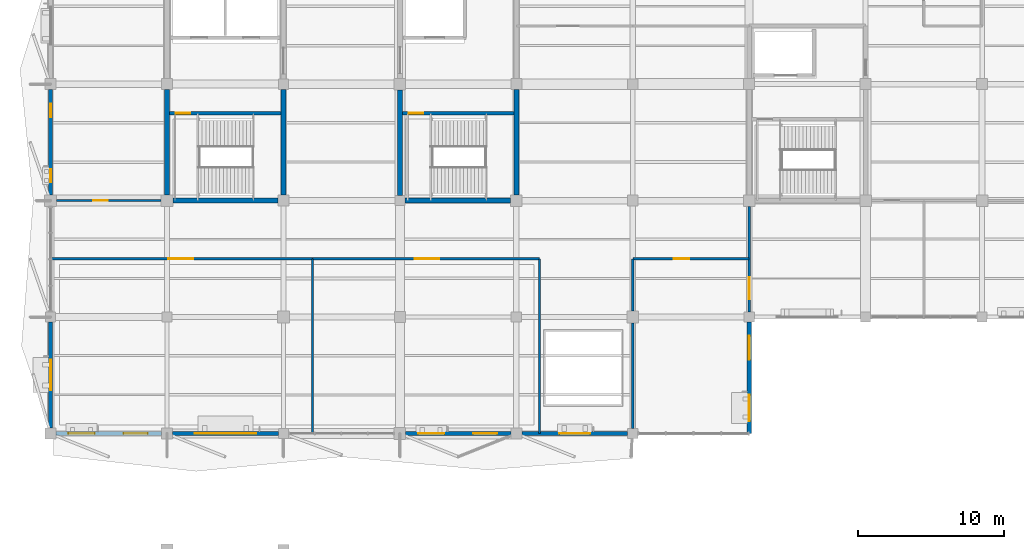
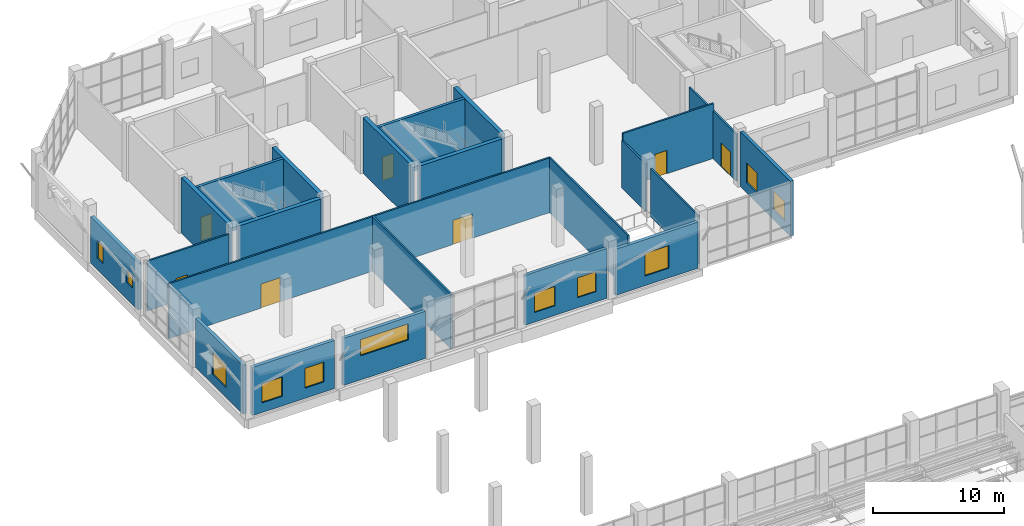
# One storey, part 106 of 122: 24 walls, 11 windows, 7 doors, 18 openings.
"""IFC4 building model written with IfcOpenShell, lengths in metres."""

from ifc_helpers import new_model, si_unit, direction, frame, frame_2d, origin, place, context, subcontext, project, spatial, rectangle, extrude, material, layer, layer_set, type_object, element, fill, save


model = new_model("IFC4")

# Units and contexts
model_context = context("Model", 3, precision=1e-05, world=origin(), true_north=direction((0.0, 1.0)))
body_context = subcontext(model_context, "Body", "Model", "MODEL_VIEW")
ifc_project = project(units=[si_unit("LENGTHUNIT", "METRE"), si_unit("AREAUNIT", "SQUARE_METRE"), si_unit("VOLUMEUNIT", "CUBIC_METRE"), si_unit("PLANEANGLEUNIT", "RADIAN"), si_unit("MASSUNIT", "GRAM", prefix="KILO")], contexts=[model_context])

# Site, building, storey
site_placement = place(None, origin())
site = spatial("IfcSite", under=ifc_project, at=site_placement, CompositionType="ELEMENT")
building_placement = place(site_placement, origin())
building = spatial("IfcBuilding", under=site, at=building_placement, Name="Tenunan Teduh Sports Hall", CompositionType="ELEMENT")
storey_placement = place(building_placement, frame((0.0, 0.0, 5.39990234375)))
storey = spatial("IfcBuildingStorey", under=building, at=storey_placement, Name="L01", CompositionType="ELEMENT", Elevation=5.39990234375)

# Wall, opening, door
ifc_material_1 = material(Name="Concrete C40/50", Category="concrete")
ifc_layer_1 = layer(ifc_material_1, 0.25)
ifc_layer_set_1 = layer_set([ifc_layer_1], Name="Concrete C40/50")
wall_type_1 = type_object("IfcWallType", Name="WL-COR-250", PredefinedType="SOLIDWALL", material=ifc_layer_set_1)
wall_1_placement = place(storey_placement, frame((14.175048828125, 100.0, 0.0), z_axis=(0.0, 0.0, 1.0), x_axis=(1.0, 0.0, 0.0)))
wall_1 = element("IfcWall", 1, at=wall_1_placement, inside=storey, type_object=wall_type_1, Name="WL-COR-L01-025", PredefinedType="SOLIDWALL", context=body_context, shape_type="SweptSolid", body=[
    extrude(rectangle(XDim=7.64990234375, YDim=0.25, at=frame_2d((3.824951171875, 0.0))), origin(), (0.0, 0.0, 1.0), 5.18017578125),
])
opening_1_placement = place(wall_1_placement, frame((0.425048828125, 0.0, 0.0)))
opening_1 = element("IfcOpeningElement", 2, at=opening_1_placement, cuts=wall_1, Name="Opening FD-01", PredefinedType="OPENING", context=body_context, shape_type="SweptSolid", body=[
    extrude(rectangle(XDim=1.0, YDim=2.199951171875, at=frame_2d((0.5, 1.10009765625))), frame((0.0, 0.135009765625, 0.0), z_axis=(0.0, -1.0, 0.0), x_axis=(1.0, 0.0, 0.0)), (0.0, 0.0, 1.0), 0.27001953125),
])
ifc_material_2 = material(Name="Fire-rated steel leaf and frame", Category="steel")
door_type_1 = type_object("IfcDoorType", Name="FDR-01", OperationType="SINGLE_SWING_LEFT", PredefinedType="DOOR", material=ifc_material_2)
door_1_placement = place(opening_1_placement, frame((1.0, 0.0, 0.0), z_axis=(0.0, 0.0, 1.0), x_axis=(-1.0, 0.0, 0.0)))
door_1 = element("IfcDoor", 3, at=door_1_placement, inside=storey, type_object=door_type_1, Name="DR-INT-L01-010", OperationType="SINGLE_SWING_LEFT", OverallHeight=2.199951171875, OverallWidth=1.0, PredefinedType="DOOR", context=body_context, shape_type="SweptSolid", body=[
    extrude(rectangle(XDim=1.0, YDim=2.199951171875, at=frame_2d((0.5, 1.10009765625))), frame((0.0, 0.02490234375, 0.0), z_axis=(0.0, -1.0, 0.0), x_axis=(1.0, 0.0, 0.0)), (0.0, 0.0, 1.0), 0.050048828125),
])
fill(opening_1, door_1)

wall_2_placement = place(storey_placement, frame((30.175048828125, 100.0, 0.0), z_axis=(0.0, 0.0, 1.0), x_axis=(1.0, 0.0, 0.0)))
wall_2 = element("IfcWall", 4, at=wall_2_placement, inside=storey, type_object=wall_type_1, Name="WL-COR-L01-079", PredefinedType="SOLIDWALL", context=body_context, shape_type="SweptSolid", body=[
    extrude(rectangle(XDim=7.64990234375, YDim=0.25, at=frame_2d((3.824951171875, 0.0))), origin(), (0.0, 0.0, 1.0), 5.18017578125),
])
opening_2_placement = place(wall_2_placement, frame((0.425048828125, 0.0, 0.0)))
opening_2 = element("IfcOpeningElement", 5, at=opening_2_placement, cuts=wall_2, Name="Opening FD-01", PredefinedType="OPENING", context=body_context, shape_type="SweptSolid", body=[
    extrude(rectangle(XDim=1.0, YDim=2.199951171875, at=frame_2d((0.5, 1.10009765625))), frame((0.0, 0.135009765625, 0.0), z_axis=(0.0, -1.0, 0.0), x_axis=(1.0, 0.0, 0.0)), (0.0, 0.0, 1.0), 0.27001953125),
])
door_2_placement = place(opening_2_placement, frame((1.0, 0.0, 0.0), z_axis=(0.0, 0.0, 1.0), x_axis=(-1.0, 0.0, 0.0)))
door_2 = element("IfcDoor", 6, at=door_2_placement, inside=storey, type_object=door_type_1, Name="DR-INT-L01-032", OperationType="SINGLE_SWING_LEFT", OverallHeight=2.199951171875, OverallWidth=1.0, PredefinedType="DOOR", context=body_context, shape_type="SweptSolid", body=[
    extrude(rectangle(XDim=1.0, YDim=2.199951171875, at=frame_2d((0.5, 1.10009765625))), frame((0.0, 0.02490234375, 0.0), z_axis=(0.0, -1.0, 0.0), x_axis=(1.0, 0.0, 0.0)), (0.0, 0.0, 1.0), 0.050048828125),
])
fill(opening_2, door_2)

# Wall, openings, windows
ifc_material_3 = material(Name="Precast concrete C40/50", Category="concrete")
ifc_layer_2 = layer(ifc_material_3, 0.25)
ifc_layer_set_2 = layer_set([ifc_layer_2], Name="Precast concrete C40/50")
wall_type_2 = type_object("IfcWallType", Name="WL-EXT-250", PredefinedType="SOLIDWALL", material=ifc_layer_set_2)
wall_3_placement = place(storey_placement, frame((30.39990234375, 78.0, 0.0), z_axis=(0.0, 0.0, 1.0), x_axis=(1.0, 0.0, 0.0)))
wall_3 = element("IfcWall", 7, at=wall_3_placement, inside=storey, type_object=wall_type_2, Name="WL-EXT-L01-164", PredefinedType="SOLIDWALL", context=body_context, shape_type="SweptSolid", body=[
    extrude(rectangle(XDim=7.22509765625, YDim=0.25, at=frame_2d((3.612548828125, 0.0))), origin(), (0.0, 0.0, 1.0), 4.64013671875),
])
opening_3_placement = place(wall_3_placement, frame((0.85009765625, 0.0, 0.89990234375)))
opening_3 = element("IfcOpeningElement", 8, at=opening_3_placement, cuts=wall_3, Name="Opening W-02", PredefinedType="OPENING", context=body_context, shape_type="SweptSolid", body=[
    extrude(rectangle(XDim=1.800048828125, YDim=1.800048828125, at=frame_2d((0.89990234375, 0.89990234375))), frame((0.0, 0.135009765625, 0.0), z_axis=(0.0, -1.0, 0.0), x_axis=(1.0, 0.0, 0.0)), (0.0, 0.0, 1.0), 0.27001953125),
])
opening_4_placement = place(wall_3_placement, frame((4.6298828125, 0.0, 0.949951171875)))
opening_4 = element("IfcOpeningElement", 9, at=opening_4_placement, cuts=wall_3, Name="Opening W-19", PredefinedType="OPENING", context=body_context, shape_type="SweptSolid", body=[
    extrude(rectangle(XDim=1.64990234375, YDim=1.85009765625, at=frame_2d((0.824951171875, 0.925048828125))), frame((0.0, 0.135009765625, 0.0), z_axis=(0.0, -1.0, 0.0), x_axis=(1.0, 0.0, 0.0)), (0.0, 0.0, 1.0), 0.27001953125),
])
ifc_material_4 = material(Name="Thermally broken aluminium and Low-E glazing", Category="aluminium")
window_type_1 = type_object("IfcWindowType", Name="WIN-02", PartitioningType="DOUBLE_PANEL_VERTICAL", PredefinedType="WINDOW", material=ifc_material_4)
window_1_placement = place(opening_3_placement, origin())
window_1 = element("IfcWindow", 10, at=window_1_placement, inside=storey, type_object=window_type_1, Name="WIN-L01-046", OverallHeight=1.800048828125, OverallWidth=1.800048828125, PartitioningType="SINGLE_PANEL", PredefinedType="WINDOW", context=body_context, shape_type="SweptSolid", body=[
    extrude(rectangle(XDim=1.800048828125, YDim=1.800048828125, at=frame_2d((0.89990234375, 0.89990234375))), frame((0.0, 0.030029296875, 0.0), z_axis=(0.0, -1.0, 0.0), x_axis=(1.0, 0.0, 0.0)), (0.0, 0.0, 1.0), 0.06005859375),
])
fill(opening_3, window_1)
ifc_material_5 = material(Name="Thermally broken aluminium and Low-E glazing", Category="aluminium")
window_type_2 = type_object("IfcWindowType", Name="WIN-19", PartitioningType="DOUBLE_PANEL_VERTICAL", PredefinedType="WINDOW", material=ifc_material_5)
window_2_placement = place(opening_4_placement, origin())
window_2 = element("IfcWindow", 11, at=window_2_placement, inside=storey, type_object=window_type_2, Name="WIN-L01-047", OverallHeight=1.85009765625, OverallWidth=1.64990234375, PartitioningType="SINGLE_PANEL", PredefinedType="WINDOW", context=body_context, shape_type="SweptSolid", body=[
    extrude(rectangle(XDim=1.64990234375, YDim=1.85009765625, at=frame_2d((0.824951171875, 0.925048828125))), frame((0.0, 0.030029296875, 0.0), z_axis=(0.0, -1.0, 0.0), x_axis=(1.0, 0.0, 0.0)), (0.0, 0.0, 1.0), 0.06005859375),
])
fill(opening_4, window_2)

# Wall, opening, window
ifc_material_6 = material(Name="Concrete C40/50", Category="concrete")
ifc_layer_3 = layer(ifc_material_6, 0.280029296875)
ifc_layer_set_3 = layer_set([ifc_layer_3], Name="Concrete C40/50")
wall_type_3 = type_object("IfcWallType", Name="WL-EXT-280", PredefinedType="SOLIDWALL", material=ifc_layer_set_3)
wall_4_placement = place(storey_placement, frame((14.375, 78.0, 0.0), z_axis=(0.0, 0.0, 1.0), x_axis=(1.0, 0.0, 0.0)))
wall_4 = element("IfcWall", 12, at=wall_4_placement, inside=storey, type_object=wall_type_3, Name="WL-EXT-L01-163", PredefinedType="SOLIDWALL", context=body_context, shape_type="SweptSolid", body=[
    extrude(rectangle(XDim=7.27490234375, YDim=0.280029296875, at=frame_2d((3.637451171875, 0.0))), origin(), (0.0, 0.0, 1.0), 4.39013671875),
])
opening_5_placement = place(wall_4_placement, frame((1.5400390625, 0.0, 2.25)))
opening_5 = element("IfcOpeningElement", 13, at=opening_5_placement, cuts=wall_4, Name="Opening W-06", PredefinedType="OPENING", context=body_context, shape_type="SweptSolid", body=[
    extrude(rectangle(XDim=4.199951171875, YDim=1.5, at=frame_2d((2.10009765625, 0.75))), frame((0.0, 0.14990234375, 0.0), z_axis=(0.0, -1.0, 0.0), x_axis=(1.0, 0.0, 0.0)), (0.0, 0.0, 1.0), 0.300048828125),
])
ifc_material_7 = material(Name="Thermally broken aluminium and Low-E glazing", Category="aluminium")
window_type_3 = type_object("IfcWindowType", Name="WIN-06", PartitioningType="TRIPLE_PANEL_HORIZONTAL", PredefinedType="WINDOW", material=ifc_material_7)
window_3_placement = place(opening_5_placement, origin())
window_3 = element("IfcWindow", 14, at=window_3_placement, inside=storey, type_object=window_type_3, Name="WIN-L01-045", OverallHeight=1.5, OverallWidth=4.199951171875, PartitioningType="SINGLE_PANEL", PredefinedType="WINDOW", context=body_context, shape_type="SweptSolid", body=[
    extrude(rectangle(XDim=4.199951171875, YDim=1.5, at=frame_2d((2.10009765625, 0.75))), frame((0.0, 0.030029296875, 0.0), z_axis=(0.0, -1.0, 0.0), x_axis=(1.0, 0.0, 0.0)), (0.0, 0.0, 1.0), 0.06005859375),
])
fill(opening_5, window_3)

wall_5_placement = place(storey_placement, frame((38.375, 78.0, 0.0), z_axis=(0.0, 0.0, 1.0), x_axis=(1.0, 0.0, 0.0)))
wall_5 = element("IfcWall", 15, at=wall_5_placement, inside=storey, type_object=wall_type_3, Name="WL-EXT-L01-165", PredefinedType="SOLIDWALL", context=body_context, shape_type="SweptSolid", body=[
    extrude(rectangle(XDim=7.27490234375, YDim=0.280029296875, at=frame_2d((3.637451171875, 0.0))), origin(), (0.0, 0.0, 1.0), 4.2900390625),
])
opening_6_placement = place(wall_5_placement, frame((2.590087890625, 0.0, 0.89990234375)))
opening_6 = element("IfcOpeningElement", 16, at=opening_6_placement, cuts=wall_5, Name="Opening W-10", PredefinedType="OPENING", context=body_context, shape_type="SweptSolid", body=[
    extrude(rectangle(XDim=2.10009765625, YDim=2.10009765625, at=frame_2d((1.050048828125, 1.050048828125))), frame((0.0, 0.14990234375, 0.0), z_axis=(0.0, -1.0, 0.0), x_axis=(1.0, 0.0, 0.0)), (0.0, 0.0, 1.0), 0.300048828125),
])
ifc_material_8 = material(Name="Thermally broken aluminium and Low-E glazing", Category="aluminium")
window_type_4 = type_object("IfcWindowType", Name="WIN-10", PartitioningType="DOUBLE_PANEL_VERTICAL", PredefinedType="WINDOW", material=ifc_material_8)
window_4_placement = place(opening_6_placement, origin())
window_4 = element("IfcWindow", 17, at=window_4_placement, inside=storey, type_object=window_type_4, Name="WIN-L01-048", OverallHeight=2.10009765625, OverallWidth=2.10009765625, PartitioningType="SINGLE_PANEL", PredefinedType="WINDOW", context=body_context, shape_type="SweptSolid", body=[
    extrude(rectangle(XDim=2.10009765625, YDim=2.10009765625, at=frame_2d((1.050048828125, 1.050048828125))), frame((0.0, 0.030029296875, 0.0), z_axis=(0.0, -1.0, 0.0), x_axis=(1.0, 0.0, 0.0)), (0.0, 0.0, 1.0), 0.06005859375),
])
fill(opening_6, window_4)

wall_6_placement = place(storey_placement, frame((6.0, 78.375, 0.0), z_axis=(0.0, 0.0, 1.0), x_axis=(0.0, 1.0, 0.0)))
wall_6 = element("IfcWall", 18, at=wall_6_placement, inside=storey, type_object=wall_type_3, Name="WL-EXT-L01-175", PredefinedType="SOLIDWALL", context=body_context, shape_type="SweptSolid", body=[
    extrude(rectangle(XDim=7.27490234375, YDim=0.280029296875, at=frame_2d((3.637451171875, 0.0))), origin(), (0.0, 0.0, 1.0), 4.5400390625),
])
opening_7_placement = place(wall_6_placement, frame((2.590087890625, 0.0, 0.89990234375)))
opening_7 = element("IfcOpeningElement", 19, at=opening_7_placement, cuts=wall_6, Name="Opening W-10", PredefinedType="OPENING", context=body_context, shape_type="SweptSolid", body=[
    extrude(rectangle(XDim=2.10009765625, YDim=2.10009765625, at=frame_2d((1.050048828125, 1.050048828125))), frame((0.0, 0.14990234375, 0.0), z_axis=(0.0, -1.0, 0.0), x_axis=(1.0, 0.0, 0.0)), (0.0, 0.0, 1.0), 0.300048828125),
])
window_5_placement = place(opening_7_placement, origin())
window_5 = element("IfcWindow", 20, at=window_5_placement, inside=storey, type_object=window_type_4, Name="WIN-L01-063", OverallHeight=2.10009765625, OverallWidth=2.10009765625, PartitioningType="SINGLE_PANEL", PredefinedType="WINDOW", context=body_context, shape_type="SweptSolid", body=[
    extrude(rectangle(XDim=2.10009765625, YDim=2.10009765625, at=frame_2d((1.050048828125, 1.050048828125))), frame((0.0, 0.030029296875, 0.0), z_axis=(0.0, -1.0, 0.0), x_axis=(1.0, 0.0, 0.0)), (0.0, 0.0, 1.0), 0.06005859375),
])
fill(opening_7, window_5)

# Wall, openings, windows
ifc_material_9 = material(Name="Concrete C40/50", Category="concrete")
ifc_layer_4 = layer(ifc_material_9, 0.2900390625)
ifc_layer_set_4 = layer_set([ifc_layer_4], Name="Concrete C40/50")
wall_type_4 = type_object("IfcWallType", Name="WL-EXT-290", PredefinedType="SOLIDWALL", material=ifc_layer_set_4)
wall_7_placement = place(storey_placement, frame((6.375, 78.0, 0.0), z_axis=(0.0, 0.0, 1.0), x_axis=(1.0, 0.0, 0.0)))
wall_7 = element("IfcWall", 21, at=wall_7_placement, inside=storey, type_object=wall_type_4, Name="WL-EXT-L01-162", PredefinedType="SOLIDWALL", context=body_context, shape_type="SweptSolid", body=[
    extrude(rectangle(XDim=7.25, YDim=0.2900390625, at=frame_2d((3.625, 0.0))), origin(), (0.0, 0.0, 1.0), 4.489990234375),
])
opening_8_placement = place(wall_7_placement, frame((0.85009765625, 0.0, 0.89990234375)))
opening_8 = element("IfcOpeningElement", 22, at=opening_8_placement, cuts=wall_7, Name="Opening W-02", PredefinedType="OPENING", context=body_context, shape_type="SweptSolid", body=[
    extrude(rectangle(XDim=1.800048828125, YDim=1.800048828125, at=frame_2d((0.89990234375, 0.89990234375))), frame((0.0, 0.155029296875, 0.0), z_axis=(0.0, -1.0, 0.0), x_axis=(1.0, 0.0, 0.0)), (0.0, 0.0, 1.0), 0.31005859375),
])
opening_9_placement = place(wall_7_placement, frame((4.64990234375, 0.0, 0.949951171875)))
opening_9 = element("IfcOpeningElement", 23, at=opening_9_placement, cuts=wall_7, Name="Opening W-19", PredefinedType="OPENING", context=body_context, shape_type="SweptSolid", body=[
    extrude(rectangle(XDim=1.64990234375, YDim=1.85009765625, at=frame_2d((0.824951171875, 0.925048828125))), frame((0.0, 0.155029296875, 0.0), z_axis=(0.0, -1.0, 0.0), x_axis=(1.0, 0.0, 0.0)), (0.0, 0.0, 1.0), 0.31005859375),
])
window_6_placement = place(opening_8_placement, origin())
window_6 = element("IfcWindow", 24, at=window_6_placement, inside=storey, type_object=window_type_1, Name="WIN-L01-043", OverallHeight=1.800048828125, OverallWidth=1.800048828125, PartitioningType="SINGLE_PANEL", PredefinedType="WINDOW", context=body_context, shape_type="SweptSolid", body=[
    extrude(rectangle(XDim=1.800048828125, YDim=1.800048828125, at=frame_2d((0.89990234375, 0.89990234375))), frame((0.0, 0.030029296875, 0.0), z_axis=(0.0, -1.0, 0.0), x_axis=(1.0, 0.0, 0.0)), (0.0, 0.0, 1.0), 0.06005859375),
])
fill(opening_8, window_6)
window_7_placement = place(opening_9_placement, origin())
window_7 = element("IfcWindow", 25, at=window_7_placement, inside=storey, type_object=window_type_2, Name="WIN-L01-044", OverallHeight=1.85009765625, OverallWidth=1.64990234375, PartitioningType="SINGLE_PANEL", PredefinedType="WINDOW", context=body_context, shape_type="SweptSolid", body=[
    extrude(rectangle(XDim=1.64990234375, YDim=1.85009765625, at=frame_2d((0.824951171875, 0.925048828125))), frame((0.0, 0.030029296875, 0.0), z_axis=(0.0, -1.0, 0.0), x_axis=(1.0, 0.0, 0.0)), (0.0, 0.0, 1.0), 0.06005859375),
])
fill(opening_9, window_7)

wall_8_placement = place(storey_placement, frame((54.0, 78.0, 0.0), z_axis=(0.0, 0.0, 1.0), x_axis=(0.0, 1.0, 0.0)))
wall_8 = element("IfcWall", 26, at=wall_8_placement, inside=storey, type_object=wall_type_4, Name="WL-EXT-L01-166", PredefinedType="SOLIDWALL", context=body_context, shape_type="SweptSolid", body=[
    extrude(rectangle(XDim=7.64990234375, YDim=0.2900390625, at=frame_2d((3.824951171875, 0.0))), origin(), (0.0, 0.0, 1.0), 5.1201171875),
])
opening_10_placement = place(wall_8_placement, frame((0.85009765625, 0.0, 0.89990234375)))
opening_10 = element("IfcOpeningElement", 27, at=opening_10_placement, cuts=wall_8, Name="Opening W-02", PredefinedType="OPENING", context=body_context, shape_type="SweptSolid", body=[
    extrude(rectangle(XDim=1.800048828125, YDim=1.800048828125, at=frame_2d((0.89990234375, 0.89990234375))), frame((0.0, 0.155029296875, 0.0), z_axis=(0.0, -1.0, 0.0), x_axis=(1.0, 0.0, 0.0)), (0.0, 0.0, 1.0), 0.31005859375),
])
opening_11_placement = place(wall_8_placement, frame((5.050048828125, 0.0, 0.949951171875)))
opening_11 = element("IfcOpeningElement", 28, at=opening_11_placement, cuts=wall_8, Name="Opening W-19", PredefinedType="OPENING", context=body_context, shape_type="SweptSolid", body=[
    extrude(rectangle(XDim=1.64990234375, YDim=1.85009765625, at=frame_2d((0.824951171875, 0.925048828125))), frame((0.0, 0.155029296875, 0.0), z_axis=(0.0, -1.0, 0.0), x_axis=(1.0, 0.0, 0.0)), (0.0, 0.0, 1.0), 0.31005859375),
])
window_8_placement = place(opening_10_placement, origin())
window_8 = element("IfcWindow", 29, at=window_8_placement, inside=storey, type_object=window_type_1, Name="WIN-L01-049", OverallHeight=1.800048828125, OverallWidth=1.800048828125, PartitioningType="SINGLE_PANEL", PredefinedType="WINDOW", context=body_context, shape_type="SweptSolid", body=[
    extrude(rectangle(XDim=1.800048828125, YDim=1.800048828125, at=frame_2d((0.89990234375, 0.89990234375))), frame((0.0, 0.030029296875, 0.0), z_axis=(0.0, -1.0, 0.0), x_axis=(1.0, 0.0, 0.0)), (0.0, 0.0, 1.0), 0.06005859375),
])
fill(opening_10, window_8)
window_9_placement = place(opening_11_placement, origin())
window_9 = element("IfcWindow", 30, at=window_9_placement, inside=storey, type_object=window_type_2, Name="WIN-L01-050", OverallHeight=1.85009765625, OverallWidth=1.64990234375, PartitioningType="SINGLE_PANEL", PredefinedType="WINDOW", context=body_context, shape_type="SweptSolid", body=[
    extrude(rectangle(XDim=1.64990234375, YDim=1.85009765625, at=frame_2d((0.824951171875, 0.925048828125))), frame((0.0, 0.030029296875, 0.0), z_axis=(0.0, -1.0, 0.0), x_axis=(1.0, 0.0, 0.0)), (0.0, 0.0, 1.0), 0.06005859375),
])
fill(opening_11, window_9)

wall_9_placement = place(storey_placement, frame((6.0, 94.39990234375, 0.0), z_axis=(0.0, 0.0, 1.0), x_axis=(0.0, 1.0, 0.0)))
wall_9 = element("IfcWall", 31, at=wall_9_placement, inside=storey, type_object=wall_type_4, Name="WL-EXT-L01-176", PredefinedType="SOLIDWALL", context=body_context, shape_type="SweptSolid", body=[
    extrude(rectangle(XDim=7.22509765625, YDim=0.2900390625, at=frame_2d((3.612548828125, 0.0))), origin(), (0.0, 0.0, 1.0), 4.340087890625),
])
opening_12_placement = place(wall_9_placement, frame((0.85009765625, 0.0, 1.5)))
opening_12 = element("IfcOpeningElement", 32, at=opening_12_placement, cuts=wall_9, Name="Opening W-08", PredefinedType="OPENING", context=body_context, shape_type="SweptSolid", body=[
    extrude(rectangle(XDim=0.89990234375, YDim=1.199951171875, at=frame_2d((0.449951171875, 0.60009765625))), frame((0.0, 0.155029296875, 0.0), z_axis=(0.0, -1.0, 0.0), x_axis=(1.0, 0.0, 0.0)), (0.0, 0.0, 1.0), 0.31005859375),
])
opening_13_placement = place(wall_9_placement, frame((5.320068359375, 0.0, 1.050048828125)))
opening_13 = element("IfcOpeningElement", 33, at=opening_13_placement, cuts=wall_9, Name="Opening W-17", PredefinedType="OPENING", context=body_context, shape_type="SweptSolid", body=[
    extrude(rectangle(XDim=0.949951171875, YDim=1.64990234375, at=frame_2d((0.47509765625, 0.824951171875))), frame((0.0, 0.155029296875, 0.0), z_axis=(0.0, -1.0, 0.0), x_axis=(1.0, 0.0, 0.0)), (0.0, 0.0, 1.0), 0.31005859375),
])
ifc_material_10 = material(Name="Thermally broken aluminium and Low-E glazing", Category="aluminium")
window_type_5 = type_object("IfcWindowType", Name="WIN-08", PartitioningType="SINGLE_PANEL", PredefinedType="WINDOW", material=ifc_material_10)
window_10_placement = place(opening_12_placement, origin())
window_10 = element("IfcWindow", 34, at=window_10_placement, inside=storey, type_object=window_type_5, Name="WIN-L01-064", OverallHeight=1.199951171875, OverallWidth=0.89990234375, PartitioningType="SINGLE_PANEL", PredefinedType="WINDOW", context=body_context, shape_type="SweptSolid", body=[
    extrude(rectangle(XDim=0.89990234375, YDim=1.199951171875, at=frame_2d((0.449951171875, 0.60009765625))), frame((0.0, 0.030029296875, 0.0), z_axis=(0.0, -1.0, 0.0), x_axis=(1.0, 0.0, 0.0)), (0.0, 0.0, 1.0), 0.06005859375),
])
fill(opening_12, window_10)
ifc_material_11 = material(Name="Thermally broken aluminium and Low-E glazing", Category="aluminium")
window_type_6 = type_object("IfcWindowType", Name="WIN-17", PartitioningType="SINGLE_PANEL", PredefinedType="WINDOW", material=ifc_material_11)
window_11_placement = place(opening_13_placement, origin())
window_11 = element("IfcWindow", 35, at=window_11_placement, inside=storey, type_object=window_type_6, Name="WIN-L01-065", OverallHeight=1.64990234375, OverallWidth=0.949951171875, PartitioningType="SINGLE_PANEL", PredefinedType="WINDOW", context=body_context, shape_type="SweptSolid", body=[
    extrude(rectangle(XDim=0.949951171875, YDim=1.64990234375, at=frame_2d((0.47509765625, 0.824951171875))), frame((0.0, 0.030029296875, 0.0), z_axis=(0.0, -1.0, 0.0), x_axis=(1.0, 0.0, 0.0)), (0.0, 0.0, 1.0), 0.06005859375),
])
fill(opening_13, window_11)

# Wall, opening, door
ifc_material_12 = material(Name="Acoustic stud and double plasterboard")
ifc_layer_5 = layer(ifc_material_12, 0.14990234375)
ifc_layer_set_5 = layer_set([ifc_layer_5], Name="Acoustic stud and double plasterboard")
wall_type_5 = type_object("IfcWallType", Name="WL-PRT-150", PredefinedType="PARTITIONING", material=ifc_layer_set_5)
wall_10_placement = place(storey_placement, frame((6.0, 90.0, 0.0), z_axis=(0.0, 0.0, 1.0), x_axis=(1.0, 0.0, 0.0)))
wall_10 = element("IfcWall", 36, at=wall_10_placement, inside=storey, type_object=wall_type_5, Name="WL-PRT-L01-361", PredefinedType="PARTITIONING", context=body_context, shape_type="SweptSolid", body=[
    extrude(rectangle(XDim=18.0, YDim=0.14990234375, at=frame_2d((9.0, 0.0))), origin(), (0.0, 0.0, 1.0), 5.10009765625),
])
opening_14_placement = place(wall_10_placement, frame((8.10009765625, 0.0, 0.0)))
opening_14 = element("IfcOpeningElement", 37, at=opening_14_placement, cuts=wall_10, Name="Opening ID-05", PredefinedType="OPENING", context=body_context, shape_type="SweptSolid", body=[
    extrude(rectangle(XDim=1.699951171875, YDim=2.25, at=frame_2d((0.85009765625, 1.125))), frame((0.0, 0.0849609375, 0.0), z_axis=(0.0, -1.0, 0.0), x_axis=(1.0, 0.0, 0.0)), (0.0, 0.0, 1.0), 0.169921875),
])
ifc_material_13 = material(Name="Glazed concourse pair")
door_type_2 = type_object("IfcDoorType", Name="IDR-05", OperationType="DOUBLE_DOOR_SINGLE_SWING", PredefinedType="DOOR", material=ifc_material_13)
door_3_placement = place(opening_14_placement, frame((1.699951171875, 0.0, 0.0), z_axis=(0.0, 0.0, 1.0), x_axis=(-1.0, 0.0, 0.0)))
door_3 = element("IfcDoor", 38, at=door_3_placement, inside=storey, type_object=door_type_2, Name="DR-INT-L01-136", OperationType="DOUBLE_DOOR_SINGLE_SWING", OverallHeight=2.25, OverallWidth=1.699951171875, PredefinedType="DOOR", context=body_context, shape_type="SweptSolid", body=[
    extrude(rectangle(XDim=1.699951171875, YDim=2.25, at=frame_2d((0.85009765625, 1.125))), frame((0.0, 0.02490234375, 0.0), z_axis=(0.0, -1.0, 0.0), x_axis=(1.0, 0.0, 0.0)), (0.0, 0.0, 1.0), 0.050048828125),
])
fill(opening_14, door_3)

wall_11_placement = place(storey_placement, frame((24.0, 90.0, 0.0), z_axis=(0.0, 0.0, 1.0), x_axis=(1.0, 0.0, 0.0)))
wall_11 = element("IfcWall", 39, at=wall_11_placement, inside=storey, type_object=wall_type_5, Name="WL-PRT-L01-362", PredefinedType="PARTITIONING", context=body_context, shape_type="SweptSolid", body=[
    extrude(rectangle(XDim=15.60009765625, YDim=0.14990234375, at=frame_2d((7.800048828125, 0.0))), origin(), (0.0, 0.0, 1.0), 5.10009765625),
])
opening_15_placement = place(wall_11_placement, frame((7.02001953125, 0.0, 0.0)))
opening_15 = element("IfcOpeningElement", 40, at=opening_15_placement, cuts=wall_11, Name="Opening ID-05", PredefinedType="OPENING", context=body_context, shape_type="SweptSolid", body=[
    extrude(rectangle(XDim=1.699951171875, YDim=2.25, at=frame_2d((0.85009765625, 1.125))), frame((0.0, 0.0849609375, 0.0), z_axis=(0.0, -1.0, 0.0), x_axis=(1.0, 0.0, 0.0)), (0.0, 0.0, 1.0), 0.169921875),
])
door_4_placement = place(opening_15_placement, frame((1.699951171875, 0.0, 0.0), z_axis=(0.0, 0.0, 1.0), x_axis=(-1.0, 0.0, 0.0)))
door_4 = element("IfcDoor", 41, at=door_4_placement, inside=storey, type_object=door_type_2, Name="DR-INT-L01-137", OperationType="DOUBLE_DOOR_SINGLE_SWING", OverallHeight=2.25, OverallWidth=1.699951171875, PredefinedType="DOOR", context=body_context, shape_type="SweptSolid", body=[
    extrude(rectangle(XDim=1.699951171875, YDim=2.25, at=frame_2d((0.85009765625, 1.125))), frame((0.0, 0.02490234375, 0.0), z_axis=(0.0, -1.0, 0.0), x_axis=(1.0, 0.0, 0.0)), (0.0, 0.0, 1.0), 0.050048828125),
])
fill(opening_15, door_4)

# Walls
for number, where, z_axis, x_axis, name in (
    (42, (24.0, 78.0, 0.0), (0.0, 0.0, 1.0), (0.0, 1.0, 0.0), "WL-PRT-L01-363"),
    (43, (39.60009765625, 78.0, 0.0), (0.0, 0.0, 1.0), (0.0, 1.0, 0.0), "WL-PRT-L01-364"),
):
    element("IfcWall", number, at=place(storey_placement, frame(where, z_axis=z_axis, x_axis=x_axis)), inside=storey, type_object=wall_type_5, Name=name, PredefinedType="PARTITIONING", context=body_context, shape_type="SweptSolid", body=[
        extrude(rectangle(XDim=12.0, YDim=0.14990234375, at=frame_2d((6.0, 0.0))), origin(), (0.0, 0.0, 1.0), 5.10009765625),
    ])

# Wall, opening, door
wall_12_placement = place(storey_placement, frame((46.0, 90.0, 0.0), z_axis=(0.0, 0.0, 1.0), x_axis=(1.0, 0.0, 0.0)))
wall_12 = element("IfcWall", 44, at=wall_12_placement, inside=storey, type_object=wall_type_5, Name="WL-PRT-L01-365", PredefinedType="PARTITIONING", context=body_context, shape_type="SweptSolid", body=[
    extrude(rectangle(XDim=8.0, YDim=0.14990234375, at=frame_2d((4.0, 0.0))), origin(), (0.0, 0.0, 1.0), 5.10009765625),
])
opening_16_placement = place(wall_12_placement, frame((2.800048828125, 0.0, 0.0)))
opening_16 = element("IfcOpeningElement", 45, at=opening_16_placement, cuts=wall_12, Name="Opening ID-09", PredefinedType="OPENING", context=body_context, shape_type="SweptSolid", body=[
    extrude(rectangle(XDim=1.080078125, YDim=2.179931640625, at=frame_2d((0.5400390625, 1.08984375))), frame((0.0, 0.0849609375, 0.0), z_axis=(0.0, -1.0, 0.0), x_axis=(1.0, 0.0, 0.0)), (0.0, 0.0, 1.0), 0.169921875),
])
ifc_material_14 = material(Name="Clinic wide acoustic leaf")
door_type_3 = type_object("IfcDoorType", Name="IDR-09", OperationType="SINGLE_SWING_RIGHT", PredefinedType="DOOR", material=ifc_material_14)
door_5_placement = place(opening_16_placement, frame((1.080078125, 0.0, 0.0), z_axis=(0.0, 0.0, 1.0), x_axis=(-1.0, 0.0, 0.0)))
door_5 = element("IfcDoor", 46, at=door_5_placement, inside=storey, type_object=door_type_3, Name="DR-INT-L01-138", OperationType="SINGLE_SWING_RIGHT", OverallHeight=2.179931640625, OverallWidth=1.080078125, PredefinedType="DOOR", context=body_context, shape_type="SweptSolid", body=[
    extrude(rectangle(XDim=1.080078125, YDim=2.179931640625, at=frame_2d((0.5400390625, 1.08984375))), frame((0.0, 0.02490234375, 0.0), z_axis=(0.0, -1.0, 0.0), x_axis=(1.0, 0.0, 0.0)), (0.0, 0.0, 1.0), 0.050048828125),
])
fill(opening_16, door_5)

# Walls
wall_13_placement = place(storey_placement, frame((46.0, 78.35009765625, 0.0), z_axis=(0.0, 0.0, 1.0), x_axis=(0.0, 1.0, 0.0)))
element("IfcWall", 47, at=wall_13_placement, inside=storey, type_object=wall_type_5, Name="WL-PRT-L01-366", PredefinedType="PARTITIONING", context=body_context, shape_type="SweptSolid", body=[
    extrude(rectangle(XDim=7.25, YDim=0.14990234375, at=frame_2d((3.625, 0.0))), origin(), (0.0, 0.0, 1.0), 4.489990234375),
])
wall_14_placement = place(storey_placement, frame((46.0, 86.39990234375, 0.0), z_axis=(0.0, 0.0, 1.0), x_axis=(0.0, 1.0, 0.0)))
element("IfcWall", 48, at=wall_14_placement, inside=storey, type_object=wall_type_5, Name="WL-PRT-L01-367", PredefinedType="PARTITIONING", context=body_context, shape_type="SweptSolid", body=[
    extrude(rectangle(XDim=3.60009765625, YDim=0.14990234375, at=frame_2d((1.800048828125, 0.0))), origin(), (0.0, 0.0, 1.0), 4.440185546875),
])

# Wall, opening, door
wall_15_placement = place(storey_placement, frame((6.39990234375, 94.0, 0.0), z_axis=(0.0, 0.0, 1.0), x_axis=(1.0, 0.0, 0.0)))
wall_15 = element("IfcWall", 49, at=wall_15_placement, inside=storey, type_object=wall_type_5, Name="WL-PRT-L01-368", PredefinedType="PARTITIONING", context=body_context, shape_type="SweptSolid", body=[
    extrude(rectangle(XDim=7.2001953125, YDim=0.14990234375, at=frame_2d((3.60009765625, 0.0))), origin(), (0.0, 0.0, 1.0), 4.64013671875),
])
opening_17_placement = place(wall_15_placement, frame((2.52001953125, 0.0, 0.0)))
opening_17 = element("IfcOpeningElement", 50, at=opening_17_placement, cuts=wall_15, Name="Opening ID-03", PredefinedType="OPENING", context=body_context, shape_type="SweptSolid", body=[
    extrude(rectangle(XDim=1.0, YDim=2.14990234375, at=frame_2d((0.5, 1.074951171875))), frame((0.0, 0.0849609375, 0.0), z_axis=(0.0, -1.0, 0.0), x_axis=(1.0, 0.0, 0.0)), (0.0, 0.0, 1.0), 0.169921875),
])
ifc_material_15 = material(Name="Accessible wide HPL leaf")
door_type_4 = type_object("IfcDoorType", Name="IDR-03", OperationType="SINGLE_SWING_LEFT", PredefinedType="DOOR", material=ifc_material_15)
door_6_placement = place(opening_17_placement, frame((1.0, 0.0, 0.0), z_axis=(0.0, 0.0, 1.0), x_axis=(-1.0, 0.0, 0.0)))
door_6 = element("IfcDoor", 51, at=door_6_placement, inside=storey, type_object=door_type_4, Name="DR-INT-L01-139", OperationType="SINGLE_SWING_RIGHT", OverallHeight=2.14990234375, OverallWidth=1.0, PredefinedType="DOOR", context=body_context, shape_type="SweptSolid", body=[
    extrude(rectangle(XDim=1.0, YDim=2.14990234375, at=frame_2d((0.5, 1.074951171875))), frame((0.0, 0.02490234375, 0.0), z_axis=(0.0, -1.0, 0.0), x_axis=(1.0, 0.0, 0.0)), (0.0, 0.0, 1.0), 0.050048828125),
])
fill(opening_17, door_6)

wall_16_placement = place(storey_placement, frame((54.0, 86.35009765625, 0.0), z_axis=(0.0, 0.0, 1.0), x_axis=(0.0, 1.0, 0.0)))
wall_16 = element("IfcWall", 52, at=wall_16_placement, inside=storey, type_object=wall_type_5, Name="WL-PRT-L01-387", PredefinedType="PARTITIONING", context=body_context, shape_type="SweptSolid", body=[
    extrude(rectangle(XDim=7.25, YDim=0.14990234375, at=frame_2d((3.625, 0.0))), origin(), (0.0, 0.0, 1.0), 4.420166015625),
])
opening_18_placement = place(wall_16_placement, frame((0.8701171875, 0.0, 0.0)))
opening_18 = element("IfcOpeningElement", 53, at=opening_18_placement, cuts=wall_16, Name="Opening ID-04", PredefinedType="OPENING", context=body_context, shape_type="SweptSolid", body=[
    extrude(rectangle(XDim=1.5, YDim=2.199951171875, at=frame_2d((0.75, 1.10009765625))), frame((0.0, 0.0849609375, 0.0), z_axis=(0.0, -1.0, 0.0), x_axis=(1.0, 0.0, 0.0)), (0.0, 0.0, 1.0), 0.169921875),
])
ifc_material_16 = material(Name="Acoustic studio timber pair", Category="wood")
door_type_5 = type_object("IfcDoorType", Name="IDR-04", OperationType="DOUBLE_DOOR_SINGLE_SWING", PredefinedType="DOOR", material=ifc_material_16)
door_7_placement = place(opening_18_placement, origin())
door_7 = element("IfcDoor", 54, at=door_7_placement, inside=storey, type_object=door_type_5, Name="DR-INT-L01-146", OperationType="DOUBLE_DOOR_SINGLE_SWING", OverallHeight=2.199951171875, OverallWidth=1.5, PredefinedType="DOOR", context=body_context, shape_type="SweptSolid", body=[
    extrude(rectangle(XDim=1.5, YDim=2.199951171875, at=frame_2d((0.75, 1.10009765625))), frame((0.0, 0.02490234375, 0.0), z_axis=(0.0, -1.0, 0.0), x_axis=(1.0, 0.0, 0.0)), (0.0, 0.0, 1.0), 0.050048828125),
])
fill(opening_18, door_7)

# Walls
ifc_material_17 = material(Name="Concrete C40/50", Category="concrete")
ifc_layer_6 = layer(ifc_material_17, 0.35009765625)
ifc_layer_set_6 = layer_set([ifc_layer_6], Name="Concrete C40/50")
wall_type_6 = type_object("IfcWallType", Name="WL-SHR-350", PredefinedType="SHEAR", material=ifc_layer_set_6)
for number, where, z_axis, x_axis, name in (
    (55, (14.39990234375, 94.0, 0.0), (0.0, 0.0, 1.0), (1.0, 0.0, 0.0), "WL-COR-L01-019"),
    (56, (14.0, 94.39990234375, 0.0), (0.0, 0.0, 1.0), (0.0, 1.0, 0.0), "WL-COR-L01-021"),
):
    element("IfcWall", number, at=place(storey_placement, frame(where, z_axis=z_axis, x_axis=x_axis)), inside=storey, type_object=wall_type_6, Name=name, PredefinedType="SHEAR", context=body_context, shape_type="SweptSolid", body=[
        extrude(rectangle(XDim=7.22509765625, YDim=0.35009765625, at=frame_2d((3.612548828125, 0.0))), origin(), (0.0, 0.0, 1.0), 5.18017578125),
    ])
wall_17_placement = place(storey_placement, frame((22.0, 94.375, 0.0), z_axis=(0.0, 0.0, 1.0), x_axis=(0.0, 1.0, 0.0)))
element("IfcWall", 57, at=wall_17_placement, inside=storey, type_object=wall_type_6, Name="WL-COR-L01-023", PredefinedType="SHEAR", context=body_context, shape_type="SweptSolid", body=[
    extrude(rectangle(XDim=7.27490234375, YDim=0.35009765625, at=frame_2d((3.637451171875, 0.0))), origin(), (0.0, 0.0, 1.0), 5.18017578125),
])
for number, where, z_axis, x_axis, name in (
    (58, (30.35009765625, 94.0, 0.0), (0.0, 0.0, 1.0), (1.0, 0.0, 0.0), "WL-COR-L01-073"),
    (59, (30.0, 94.35009765625, 0.0), (0.0, 0.0, 1.0), (0.0, 1.0, 0.0), "WL-COR-L01-075"),
):
    element("IfcWall", number, at=place(storey_placement, frame(where, z_axis=z_axis, x_axis=x_axis)), inside=storey, type_object=wall_type_6, Name=name, PredefinedType="SHEAR", context=body_context, shape_type="SweptSolid", body=[
        extrude(rectangle(XDim=7.25, YDim=0.35009765625, at=frame_2d((3.625, 0.0))), origin(), (0.0, 0.0, 1.0), 5.18017578125),
    ])
wall_18_placement = place(storey_placement, frame((38.0, 94.39990234375, 0.0), z_axis=(0.0, 0.0, 1.0), x_axis=(0.0, 1.0, 0.0)))
element("IfcWall", 60, at=wall_18_placement, inside=storey, type_object=wall_type_6, Name="WL-COR-L01-077", PredefinedType="SHEAR", context=body_context, shape_type="SweptSolid", body=[
    extrude(rectangle(XDim=7.22509765625, YDim=0.35009765625, at=frame_2d((3.612548828125, 0.0))), origin(), (0.0, 0.0, 1.0), 5.18017578125),
])

save(model, "model.ifc")
